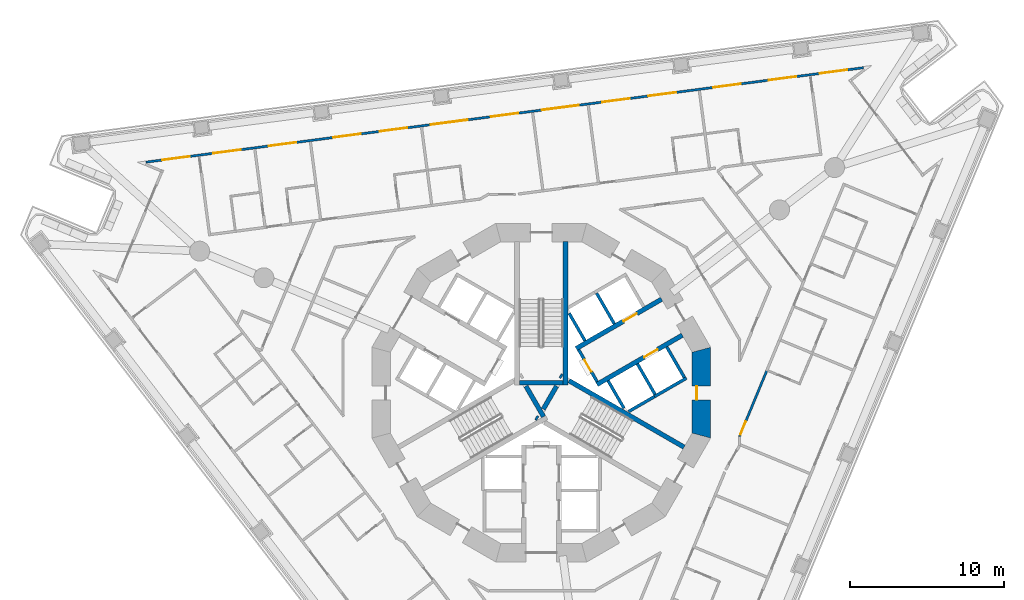
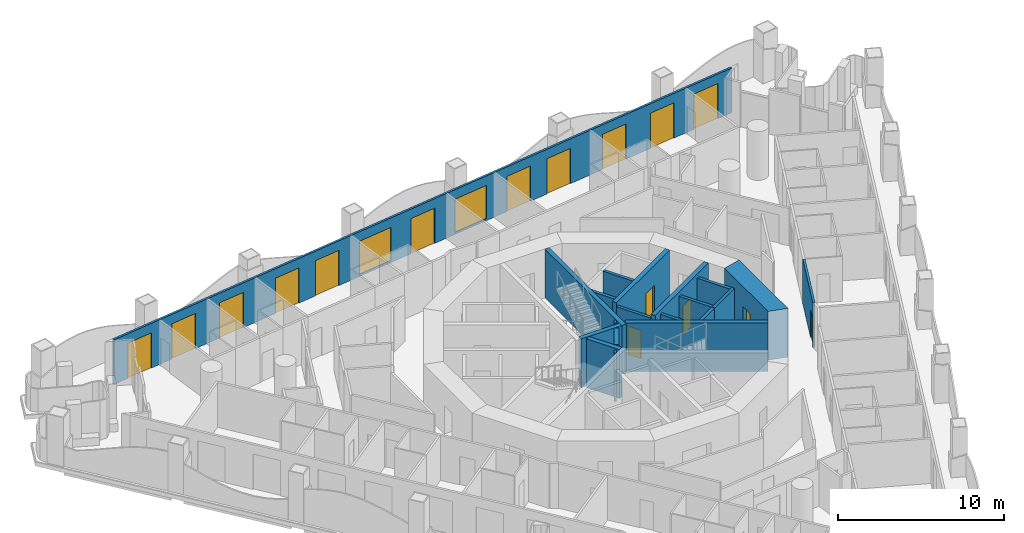
# One storey, part 8 of 19: 20 walls, 16 doors, 2 windows, 18 openings.
"""IFC4 building model written with IfcOpenShell, lengths in metres."""

from ifc_helpers import new_model, si_unit, direction, frame, frame_2d, origin, place, context, subcontext, project, spatial, polyline, rectangle, outline, extrude, material, layer, layer_set, type_object, element, fill, save


model = new_model("IFC4")

# Units and contexts
model_context = context("Model", 3, precision=1e-05, world=origin(), true_north=direction((0.0, 1.0)))
body_context = subcontext(model_context, "Body", "Model", "MODEL_VIEW")
ifc_project = project(units=[si_unit("LENGTHUNIT", "METRE"), si_unit("AREAUNIT", "SQUARE_METRE"), si_unit("VOLUMEUNIT", "CUBIC_METRE"), si_unit("PLANEANGLEUNIT", "RADIAN"), si_unit("MASSUNIT", "GRAM", prefix="KILO")], contexts=[model_context])

# Site, building, storey
site_placement = place(None, origin())
site = spatial("IfcSite", under=ifc_project, at=site_placement, CompositionType="ELEMENT")
building_placement = place(site_placement, origin())
building = spatial("IfcBuilding", under=site, at=building_placement, Name="Trine Commons Tower", CompositionType="ELEMENT")
storey_placement = place(building_placement, frame((0.0, 0.0, 61.199951171875)))
storey = spatial("IfcBuildingStorey", under=building, at=storey_placement, Name="L14", CompositionType="ELEMENT", Elevation=61.199951171875)

# Wall, openings, windows, doors
ifc_material_1 = material(Name="Aluminium-framed insulated wall panel", Category="aluminium")
ifc_layer_1 = layer(ifc_material_1, 0.14990234375)
ifc_layer_set_1 = layer_set([ifc_layer_1], Name="Aluminium-framed insulated wall panel")
wall_type_1 = type_object("IfcWallType", Name="Glazed frame wall 150, EI 60", PredefinedType="SOLIDWALL", material=ifc_layer_set_1)
wall_1_placement = place(storey_placement, frame((54.142333984375, 77.464599609375, 0.0), z_axis=(0.0, 0.0, 1.0), x_axis=(0.991444696532, 0.130527444308, 0.0)))
wall_1 = element("IfcWall", 1, at=wall_1_placement, inside=storey, type_object=wall_type_1, Name="Glazed frame wall F1", PredefinedType="SOLIDWALL", context=body_context, shape_type="SweptSolid", body=[
    extrude(outline(polyline([(0.1494140625, 0.074951171875), (0.1494140625, -0.074951171875), (47.216796875, -0.074951171875), (47.216796875, 0.074951171875), (0.1494140625, 0.074951171875)])), origin(), (0.0, 0.0, 1.0), 3.300048828125),
])
opening_1_placement = place(wall_1_placement, frame((1.2216796875, 0.0, 0.0)))
opening_1 = element("IfcOpeningElement", 2, at=opening_1_placement, cuts=wall_1, Name="Opening BD-2F1-01", PredefinedType="OPENING", context=body_context, shape_type="SweptSolid", body=[
    extrude(rectangle(XDim=1.800048828125, YDim=2.60009765625, at=frame_2d((0.89990234375, 1.300048828125))), frame((0.0, 0.0849609375, 0.0), z_axis=(0.0, -1.0, 0.0), x_axis=(1.0, 0.0, 0.0)), (0.0, 0.0, 1.0), 0.169921875),
])
opening_2_placement = place(wall_1_placement, frame((4.5654296875, 0.0, 0.0)))
opening_2 = element("IfcOpeningElement", 3, at=opening_2_placement, cuts=wall_1, Name="Opening BD-2F1-02", PredefinedType="OPENING", context=body_context, shape_type="SweptSolid", body=[
    extrude(rectangle(XDim=1.800048828125, YDim=2.60009765625, at=frame_2d((0.89990234375, 1.300048828125))), frame((0.0, 0.0849609375, 0.0), z_axis=(0.0, -1.0, 0.0), x_axis=(1.0, 0.0, 0.0)), (0.0, 0.0, 1.0), 0.169921875),
])
opening_3_placement = place(wall_1_placement, frame((8.208984375, 0.0, 0.0)))
opening_3 = element("IfcOpeningElement", 4, at=opening_3_placement, cuts=wall_1, Name="Opening BD-2F1-03", PredefinedType="OPENING", context=body_context, shape_type="SweptSolid", body=[
    extrude(rectangle(XDim=1.800048828125, YDim=2.60009765625, at=frame_2d((0.89990234375, 1.300048828125))), frame((0.0, 0.0849609375, 0.0), z_axis=(0.0, -1.0, 0.0), x_axis=(1.0, 0.0, 0.0)), (0.0, 0.0, 1.0), 0.169921875),
])
opening_4_placement = place(wall_1_placement, frame((12.45263671875, 0.0, 0.0)))
opening_4 = element("IfcOpeningElement", 5, at=opening_4_placement, cuts=wall_1, Name="Opening BD-2F1-04", PredefinedType="OPENING", context=body_context, shape_type="SweptSolid", body=[
    extrude(rectangle(XDim=1.800048828125, YDim=2.60009765625, at=frame_2d((0.89990234375, 1.300048828125))), frame((0.0, 0.0849609375, 0.0), z_axis=(0.0, -1.0, 0.0), x_axis=(1.0, 0.0, 0.0)), (0.0, 0.0, 1.0), 0.169921875),
])
opening_5_placement = place(wall_1_placement, frame((15.49609375, 0.0, 0.0)))
opening_5 = element("IfcOpeningElement", 6, at=opening_5_placement, cuts=wall_1, Name="Opening BD-2F1-05", PredefinedType="OPENING", context=body_context, shape_type="SweptSolid", body=[
    extrude(rectangle(XDim=1.800048828125, YDim=2.60009765625, at=frame_2d((0.89990234375, 1.300048828125))), frame((0.0, 0.0849609375, 0.0), z_axis=(0.0, -1.0, 0.0), x_axis=(1.0, 0.0, 0.0)), (0.0, 0.0, 1.0), 0.169921875),
])
opening_6_placement = place(wall_1_placement, frame((18.83984375, 0.0, 0.14990234375)))
opening_6 = element("IfcOpeningElement", 7, at=opening_6_placement, cuts=wall_1, Name="Opening W-2F1-06", PredefinedType="OPENING", context=body_context, shape_type="SweptSolid", body=[
    extrude(rectangle(XDim=2.39990234375, YDim=2.449951171875, at=frame_2d((1.199951171875, 1.22509765625))), frame((0.0, 0.0849609375, 0.0), z_axis=(0.0, -1.0, 0.0), x_axis=(1.0, 0.0, 0.0)), (0.0, 0.0, 1.0), 0.169921875),
])
opening_7_placement = place(wall_1_placement, frame((22.783447265625, 0.0, 0.0)))
opening_7 = element("IfcOpeningElement", 8, at=opening_7_placement, cuts=wall_1, Name="Opening BD-2F1-07", PredefinedType="OPENING", context=body_context, shape_type="SweptSolid", body=[
    extrude(rectangle(XDim=1.800048828125, YDim=2.60009765625, at=frame_2d((0.89990234375, 1.300048828125))), frame((0.0, 0.0849609375, 0.0), z_axis=(0.0, -1.0, 0.0), x_axis=(1.0, 0.0, 0.0)), (0.0, 0.0, 1.0), 0.169921875),
])
opening_8_placement = place(wall_1_placement, frame((26.126953125, 0.0, 0.14990234375)))
opening_8 = element("IfcOpeningElement", 9, at=opening_8_placement, cuts=wall_1, Name="Opening W-2F1-08", PredefinedType="OPENING", context=body_context, shape_type="SweptSolid", body=[
    extrude(rectangle(XDim=2.39990234375, YDim=2.449951171875, at=frame_2d((1.199951171875, 1.22509765625))), frame((0.0, 0.0849609375, 0.0), z_axis=(0.0, -1.0, 0.0), x_axis=(1.0, 0.0, 0.0)), (0.0, 0.0, 1.0), 0.169921875),
])
opening_9_placement = place(wall_1_placement, frame((30.070556640625, 0.0, 0.0)))
opening_9 = element("IfcOpeningElement", 10, at=opening_9_placement, cuts=wall_1, Name="Opening BD-2F1-09", PredefinedType="OPENING", context=body_context, shape_type="SweptSolid", body=[
    extrude(rectangle(XDim=1.800048828125, YDim=2.60009765625, at=frame_2d((0.89990234375, 1.300048828125))), frame((0.0, 0.0849609375, 0.0), z_axis=(0.0, -1.0, 0.0), x_axis=(1.0, 0.0, 0.0)), (0.0, 0.0, 1.0), 0.169921875),
])
opening_10_placement = place(wall_1_placement, frame((33.1142578125, 0.0, 0.0)))
opening_10 = element("IfcOpeningElement", 11, at=opening_10_placement, cuts=wall_1, Name="Opening BD-2F1-10", PredefinedType="OPENING", context=body_context, shape_type="SweptSolid", body=[
    extrude(rectangle(XDim=1.800048828125, YDim=2.60009765625, at=frame_2d((0.89990234375, 1.300048828125))), frame((0.0, 0.0849609375, 0.0), z_axis=(0.0, -1.0, 0.0), x_axis=(1.0, 0.0, 0.0)), (0.0, 0.0, 1.0), 0.169921875),
])
opening_11_placement = place(wall_1_placement, frame((37.35791015625, 0.0, 0.0)))
opening_11 = element("IfcOpeningElement", 12, at=opening_11_placement, cuts=wall_1, Name="Opening BD-2F1-11", PredefinedType="OPENING", context=body_context, shape_type="SweptSolid", body=[
    extrude(rectangle(XDim=1.800048828125, YDim=2.60009765625, at=frame_2d((0.89990234375, 1.300048828125))), frame((0.0, 0.0849609375, 0.0), z_axis=(0.0, -1.0, 0.0), x_axis=(1.0, 0.0, 0.0)), (0.0, 0.0, 1.0), 0.169921875),
])
opening_12_placement = place(wall_1_placement, frame((41.00146484375, 0.0, 0.0)))
opening_12 = element("IfcOpeningElement", 13, at=opening_12_placement, cuts=wall_1, Name="Opening BD-2F1-12", PredefinedType="OPENING", context=body_context, shape_type="SweptSolid", body=[
    extrude(rectangle(XDim=1.800048828125, YDim=2.60009765625, at=frame_2d((0.89990234375, 1.300048828125))), frame((0.0, 0.0849609375, 0.0), z_axis=(0.0, -1.0, 0.0), x_axis=(1.0, 0.0, 0.0)), (0.0, 0.0, 1.0), 0.169921875),
])
opening_13_placement = place(wall_1_placement, frame((44.344970703125, 0.0, 0.0)))
opening_13 = element("IfcOpeningElement", 14, at=opening_13_placement, cuts=wall_1, Name="Opening BD-2F1-13", PredefinedType="OPENING", context=body_context, shape_type="SweptSolid", body=[
    extrude(rectangle(XDim=1.800048828125, YDim=2.60009765625, at=frame_2d((0.89990234375, 1.300048828125))), frame((0.0, 0.0849609375, 0.0), z_axis=(0.0, -1.0, 0.0), x_axis=(1.0, 0.0, 0.0)), (0.0, 0.0, 1.0), 0.169921875),
])
ifc_material_2 = material(Name="Anodised aluminium frame with double glazing", Category="aluminium")
window_type = type_object("IfcWindowType", Name="Fixed window 2400x2450", PartitioningType="SINGLE_PANEL", PredefinedType="WINDOW", material=ifc_material_2)
window_1_placement = place(opening_6_placement, origin())
window_1 = element("IfcWindow", 15, at=window_1_placement, inside=storey, type_object=window_type, Name="Window F1 6", OverallHeight=2.449951171875, OverallWidth=2.39990234375, PartitioningType="SINGLE_PANEL", PredefinedType="WINDOW", context=body_context, shape_type="SweptSolid", body=[
    extrude(rectangle(XDim=2.39990234375, YDim=2.449951171875, at=frame_2d((1.199951171875, 1.22509765625))), frame((0.0, 0.030029296875, 0.0), z_axis=(0.0, -1.0, 0.0), x_axis=(1.0, 0.0, 0.0)), (0.0, 0.0, 1.0), 0.06005859375),
])
fill(opening_6, window_1)
window_2_placement = place(opening_8_placement, origin())
window_2 = element("IfcWindow", 16, at=window_2_placement, inside=storey, type_object=window_type, Name="Window F1 8", OverallHeight=2.449951171875, OverallWidth=2.39990234375, PartitioningType="SINGLE_PANEL", PredefinedType="WINDOW", context=body_context, shape_type="SweptSolid", body=[
    extrude(rectangle(XDim=2.39990234375, YDim=2.449951171875, at=frame_2d((1.199951171875, 1.22509765625))), frame((0.0, 0.030029296875, 0.0), z_axis=(0.0, -1.0, 0.0), x_axis=(1.0, 0.0, 0.0)), (0.0, 0.0, 1.0), 0.06005859375),
])
fill(opening_8, window_2)
door_type_1 = type_object("IfcDoorType", Name="Sliding loggia door 1800x2600", OperationType="SLIDING_TO_LEFT", PredefinedType="DOOR", material=ifc_material_2)
door_1_placement = place(opening_1_placement, origin())
door_1 = element("IfcDoor", 17, at=door_1_placement, inside=storey, type_object=door_type_1, Name="Loggia door F1 1", OperationType="SLIDING_TO_LEFT", OverallHeight=2.60009765625, OverallWidth=1.800048828125, PredefinedType="DOOR", context=body_context, shape_type="SweptSolid", body=[
    extrude(rectangle(XDim=1.800048828125, YDim=2.60009765625, at=frame_2d((0.89990234375, 1.300048828125))), frame((0.0, 0.02490234375, 0.0), z_axis=(0.0, -1.0, 0.0), x_axis=(1.0, 0.0, 0.0)), (0.0, 0.0, 1.0), 0.050048828125),
])
fill(opening_1, door_1)
door_2_placement = place(opening_2_placement, origin())
door_2 = element("IfcDoor", 18, at=door_2_placement, inside=storey, type_object=door_type_1, Name="Loggia door F1 2", OperationType="SLIDING_TO_LEFT", OverallHeight=2.60009765625, OverallWidth=1.800048828125, PredefinedType="DOOR", context=body_context, shape_type="SweptSolid", body=[
    extrude(rectangle(XDim=1.800048828125, YDim=2.60009765625, at=frame_2d((0.89990234375, 1.300048828125))), frame((0.0, 0.02490234375, 0.0), z_axis=(0.0, -1.0, 0.0), x_axis=(1.0, 0.0, 0.0)), (0.0, 0.0, 1.0), 0.050048828125),
])
fill(opening_2, door_2)
door_3_placement = place(opening_3_placement, origin())
door_3 = element("IfcDoor", 19, at=door_3_placement, inside=storey, type_object=door_type_1, Name="Loggia door F1 3", OperationType="SLIDING_TO_LEFT", OverallHeight=2.60009765625, OverallWidth=1.800048828125, PredefinedType="DOOR", context=body_context, shape_type="SweptSolid", body=[
    extrude(rectangle(XDim=1.800048828125, YDim=2.60009765625, at=frame_2d((0.89990234375, 1.300048828125))), frame((0.0, 0.02490234375, 0.0), z_axis=(0.0, -1.0, 0.0), x_axis=(1.0, 0.0, 0.0)), (0.0, 0.0, 1.0), 0.050048828125),
])
fill(opening_3, door_3)
door_4_placement = place(opening_4_placement, origin())
door_4 = element("IfcDoor", 20, at=door_4_placement, inside=storey, type_object=door_type_1, Name="Loggia door F1 4", OperationType="SLIDING_TO_LEFT", OverallHeight=2.60009765625, OverallWidth=1.800048828125, PredefinedType="DOOR", context=body_context, shape_type="SweptSolid", body=[
    extrude(rectangle(XDim=1.800048828125, YDim=2.60009765625, at=frame_2d((0.89990234375, 1.300048828125))), frame((0.0, 0.02490234375, 0.0), z_axis=(0.0, -1.0, 0.0), x_axis=(1.0, 0.0, 0.0)), (0.0, 0.0, 1.0), 0.050048828125),
])
fill(opening_4, door_4)
door_5_placement = place(opening_5_placement, origin())
door_5 = element("IfcDoor", 21, at=door_5_placement, inside=storey, type_object=door_type_1, Name="Loggia door F1 5", OperationType="SLIDING_TO_LEFT", OverallHeight=2.60009765625, OverallWidth=1.800048828125, PredefinedType="DOOR", context=body_context, shape_type="SweptSolid", body=[
    extrude(rectangle(XDim=1.800048828125, YDim=2.60009765625, at=frame_2d((0.89990234375, 1.300048828125))), frame((0.0, 0.02490234375, 0.0), z_axis=(0.0, -1.0, 0.0), x_axis=(1.0, 0.0, 0.0)), (0.0, 0.0, 1.0), 0.050048828125),
])
fill(opening_5, door_5)
door_6_placement = place(opening_7_placement, origin())
door_6 = element("IfcDoor", 22, at=door_6_placement, inside=storey, type_object=door_type_1, Name="Loggia door F1 7", OperationType="SLIDING_TO_LEFT", OverallHeight=2.60009765625, OverallWidth=1.800048828125, PredefinedType="DOOR", context=body_context, shape_type="SweptSolid", body=[
    extrude(rectangle(XDim=1.800048828125, YDim=2.60009765625, at=frame_2d((0.89990234375, 1.300048828125))), frame((0.0, 0.02490234375, 0.0), z_axis=(0.0, -1.0, 0.0), x_axis=(1.0, 0.0, 0.0)), (0.0, 0.0, 1.0), 0.050048828125),
])
fill(opening_7, door_6)
door_7_placement = place(opening_9_placement, origin())
door_7 = element("IfcDoor", 23, at=door_7_placement, inside=storey, type_object=door_type_1, Name="Loggia door F1 9", OperationType="SLIDING_TO_LEFT", OverallHeight=2.60009765625, OverallWidth=1.800048828125, PredefinedType="DOOR", context=body_context, shape_type="SweptSolid", body=[
    extrude(rectangle(XDim=1.800048828125, YDim=2.60009765625, at=frame_2d((0.89990234375, 1.300048828125))), frame((0.0, 0.02490234375, 0.0), z_axis=(0.0, -1.0, 0.0), x_axis=(1.0, 0.0, 0.0)), (0.0, 0.0, 1.0), 0.050048828125),
])
fill(opening_9, door_7)
door_8_placement = place(opening_10_placement, origin())
door_8 = element("IfcDoor", 24, at=door_8_placement, inside=storey, type_object=door_type_1, Name="Loggia door F1 10", OperationType="SLIDING_TO_LEFT", OverallHeight=2.60009765625, OverallWidth=1.800048828125, PredefinedType="DOOR", context=body_context, shape_type="SweptSolid", body=[
    extrude(rectangle(XDim=1.800048828125, YDim=2.60009765625, at=frame_2d((0.89990234375, 1.300048828125))), frame((0.0, 0.02490234375, 0.0), z_axis=(0.0, -1.0, 0.0), x_axis=(1.0, 0.0, 0.0)), (0.0, 0.0, 1.0), 0.050048828125),
])
fill(opening_10, door_8)
door_9_placement = place(opening_11_placement, origin())
door_9 = element("IfcDoor", 25, at=door_9_placement, inside=storey, type_object=door_type_1, Name="Loggia door F1 11", OperationType="SLIDING_TO_LEFT", OverallHeight=2.60009765625, OverallWidth=1.800048828125, PredefinedType="DOOR", context=body_context, shape_type="SweptSolid", body=[
    extrude(rectangle(XDim=1.800048828125, YDim=2.60009765625, at=frame_2d((0.89990234375, 1.300048828125))), frame((0.0, 0.02490234375, 0.0), z_axis=(0.0, -1.0, 0.0), x_axis=(1.0, 0.0, 0.0)), (0.0, 0.0, 1.0), 0.050048828125),
])
fill(opening_11, door_9)
door_10_placement = place(opening_12_placement, origin())
door_10 = element("IfcDoor", 26, at=door_10_placement, inside=storey, type_object=door_type_1, Name="Loggia door F1 12", OperationType="SLIDING_TO_LEFT", OverallHeight=2.60009765625, OverallWidth=1.800048828125, PredefinedType="DOOR", context=body_context, shape_type="SweptSolid", body=[
    extrude(rectangle(XDim=1.800048828125, YDim=2.60009765625, at=frame_2d((0.89990234375, 1.300048828125))), frame((0.0, 0.02490234375, 0.0), z_axis=(0.0, -1.0, 0.0), x_axis=(1.0, 0.0, 0.0)), (0.0, 0.0, 1.0), 0.050048828125),
])
fill(opening_12, door_10)
door_11_placement = place(opening_13_placement, origin())
door_11 = element("IfcDoor", 27, at=door_11_placement, inside=storey, type_object=door_type_1, Name="Loggia door F1 13", OperationType="SLIDING_TO_LEFT", OverallHeight=2.60009765625, OverallWidth=1.800048828125, PredefinedType="DOOR", context=body_context, shape_type="SweptSolid", body=[
    extrude(rectangle(XDim=1.800048828125, YDim=2.60009765625, at=frame_2d((0.89990234375, 1.300048828125))), frame((0.0, 0.02490234375, 0.0), z_axis=(0.0, -1.0, 0.0), x_axis=(1.0, 0.0, 0.0)), (0.0, 0.0, 1.0), 0.050048828125),
])
fill(opening_13, door_11)

# Wall, opening, door
ifc_material_3 = material(Name="Fire-rated gypsum shaft wall system")
ifc_layer_2 = layer(ifc_material_3, 0.199951171875)
ifc_layer_set_2 = layer_set([ifc_layer_2], Name="Fire-rated gypsum shaft wall system")
wall_type_2 = type_object("IfcWallType", Name="Lobby end wall 200 mm, EI 120", PredefinedType="PARTITIONING", material=ifc_layer_set_2)
wall_2_placement = place(storey_placement, frame((83.631103515625, 63.2109375, 0.0), z_axis=(0.0, 0.0, 1.0), x_axis=(-0.50012165622, 0.865955154139, 0.0)))
wall_2 = element("IfcWall", 28, at=wall_2_placement, inside=storey, type_object=wall_type_2, Name="Lobby end wall L14", PredefinedType="PARTITIONING", context=body_context, shape_type="SweptSolid", body=[
    extrude(rectangle(XDim=2.39990234375, YDim=0.199951171875, at=frame_2d((1.199951171875, 0.0))), origin(), (0.0, 0.0, 1.0), 3.300048828125),
])
opening_14_placement = place(wall_2_placement, frame((0.749755859375, 0.0, 0.0)))
opening_14 = element("IfcOpeningElement", 29, at=opening_14_placement, cuts=wall_2, Name="Opening K05.05", PredefinedType="OPENING", context=body_context, shape_type="SweptSolid", body=[
    extrude(rectangle(XDim=0.89990234375, YDim=2.10009765625, at=frame_2d((0.449951171875, 1.050048828125))), frame((0.0, 0.10986328125, 0.0), z_axis=(0.0, -1.0, 0.0), x_axis=(1.0, 0.0, 0.0)), (0.0, 0.0, 1.0), 0.219970703125),
])
ifc_material_4 = material(Name="Steel door leaf, fire-rated", Category="steel")
door_type_2 = type_object("IfcDoorType", Name="Riser access door, single leaf 900 x 2100, FD60", OperationType="SINGLE_SWING_LEFT", PredefinedType="DOOR", material=ifc_material_4)
door_12_placement = place(opening_14_placement, frame((0.89990234375, 0.0, 0.0), z_axis=(0.0, 0.0, 1.0), x_axis=(-1.0, 0.0, 0.0)))
door_12 = element("IfcDoor", 30, at=door_12_placement, inside=storey, type_object=door_type_2, Name="Riser door, Electrical riser L14", OperationType="SINGLE_SWING_LEFT", OverallHeight=2.10009765625, OverallWidth=0.89990234375, PredefinedType="DOOR", context=body_context, shape_type="SweptSolid", body=[
    extrude(rectangle(XDim=0.89990234375, YDim=2.10009765625, at=frame_2d((0.449951171875, 1.050048828125))), frame((0.0, 0.02490234375, 0.0), z_axis=(0.0, -1.0, 0.0), x_axis=(1.0, 0.0, 0.0)), (0.0, 0.0, 1.0), 0.050048828125),
])
fill(opening_14, door_12)

ifc_material_5 = material(Name="Concrete C80/95", Category="concrete")
ifc_layer_3 = layer(ifc_material_5, 1.199951171875)
ifc_layer_set_3 = layer_set([ifc_layer_3], Name="Concrete C80/95")
wall_type_3 = type_object("IfcWallType", Name="RC shear wall 1200 mm, C80/95", PredefinedType="SHEAR", material=ifc_layer_set_3)
wall_3_placement = place(storey_placement, frame((90.41162109375, 59.549560546875, 0.0), z_axis=(0.0, 0.0, 1.0), x_axis=(0.0, 1.0, 0.0)))
wall_3 = element("IfcWall", 31, at=wall_3_placement, inside=storey, type_object=wall_type_3, Name="Core wall CWB-01 L14", PredefinedType="SHEAR", context=body_context, shape_type="SweptSolid", body=[
    extrude(outline(polyline([(0.0, -0.60009765625), (5.90087890625, -0.60009765625), (5.57958984375, 0.60009765625), (0.321533203125, 0.60009765625), (0.0, -0.60009765625)])), origin(), (0.0, 0.0, 1.0), 3.60009765625),
])
opening_15_placement = place(wall_3_placement, frame((2.4755859375, 0.0, 0.0)))
opening_15 = element("IfcOpeningElement", 32, at=opening_15_placement, cuts=wall_3, Name="Opening K05.16", PredefinedType="OPENING", context=body_context, shape_type="SweptSolid", body=[
    extrude(rectangle(XDim=0.89990234375, YDim=2.10009765625, at=frame_2d((0.449951171875, 1.050048828125))), frame((0.0, 0.60986328125, 0.0), z_axis=(0.0, -1.0, 0.0), x_axis=(1.0, 0.0, 0.0)), (0.0, 0.0, 1.0), 1.219970703125),
])
door_type_3 = type_object("IfcDoorType", Name="Core room door, single leaf 900 x 2100, FD30S", OperationType="SINGLE_SWING_LEFT", PredefinedType="DOOR", material=ifc_material_4)
door_13_placement = place(opening_15_placement, origin())
door_13 = element("IfcDoor", 33, at=door_13_placement, inside=storey, type_object=door_type_3, Name="Door to Accessible WC L14", OperationType="SINGLE_SWING_LEFT", OverallHeight=2.10009765625, OverallWidth=0.89990234375, PredefinedType="DOOR", context=body_context, shape_type="SweptSolid", body=[
    extrude(rectangle(XDim=0.89990234375, YDim=2.10009765625, at=frame_2d((0.449951171875, 1.050048828125))), frame((0.0, 0.3251953125, 0.0), z_axis=(0.0, -1.0, 0.0), x_axis=(1.0, 0.0, 0.0)), (0.0, 0.0, 1.0), 0.050048828125),
])
fill(opening_15, door_13)

ifc_layer_4 = layer(ifc_material_5, 0.300048828125)
ifc_layer_set_4 = layer_set([ifc_layer_4], Name="Concrete C80/95")
wall_type_4 = type_object("IfcWallType", Name="RC shear wall 300 mm, C80/95", PredefinedType="SHEAR", material=ifc_layer_set_4)
wall_4_placement = place(storey_placement, frame((82.26904296875, 65.368896484375, 0.0), z_axis=(0.0, 0.0, 1.0), x_axis=(0.866022631842, 0.500004801114, 0.0)))
wall_4 = element("IfcWall", 34, at=wall_4_placement, inside=storey, type_object=wall_type_4, Name="Core cross wall SWA-05 L14", PredefinedType="SHEAR", context=body_context, shape_type="SweptSolid", body=[
    extrude(rectangle(XDim=6.412109375, YDim=0.300048828125, at=frame_2d((3.2060546875, 0.0))), origin(), (0.0, 0.0, 1.0), 3.60009765625),
])
opening_16_placement = place(wall_4_placement, frame((3.55029296875, 0.0, 0.0)))
opening_16 = element("IfcOpeningElement", 35, at=opening_16_placement, cuts=wall_4, Name="Opening LD1", PredefinedType="OPENING", context=body_context, shape_type="SweptSolid", body=[
    extrude(rectangle(XDim=1.0, YDim=2.10009765625, at=frame_2d((0.5, 1.050048828125))), frame((0.0, 0.159912109375, 0.0), z_axis=(0.0, -1.0, 0.0), x_axis=(1.0, 0.0, 0.0)), (0.0, 0.0, 1.0), 0.320068359375),
])
ifc_material_6 = material(Name="Stainless steel sliding door leaves", Category="steel")
door_type_4 = type_object("IfcDoorType", Name="Lift landing door, centre-opening sliding 1000 x 2100, FD90", OperationType="DOUBLE_DOOR_SLIDING", PredefinedType="DOOR", material=ifc_material_6)
door_14_placement = place(opening_16_placement, origin())
door_14 = element("IfcDoor", 36, at=door_14_placement, inside=storey, type_object=door_type_4, Name="Lift landing door LR1 L14", OperationType="DOUBLE_DOOR_SLIDING", OverallHeight=2.10009765625, OverallWidth=1.0, PredefinedType="DOOR", context=body_context, shape_type="SweptSolid", body=[
    extrude(rectangle(XDim=1.0, YDim=2.10009765625, at=frame_2d((0.5, 1.050048828125))), frame((0.0, 0.02490234375, 0.0), z_axis=(0.0, -1.0, 0.0), x_axis=(1.0, 0.0, 0.0)), (0.0, 0.0, 1.0), 0.050048828125),
])
fill(opening_16, door_14)

wall_5_placement = place(storey_placement, frame((83.618896484375, 63.031005859375, 0.0), z_axis=(0.0, 0.0, 1.0), x_axis=(0.866032150378, 0.499988314375, 0.0)))
wall_5 = element("IfcWall", 37, at=wall_5_placement, inside=storey, type_object=wall_type_4, Name="Core cross wall SWA-06 L14", PredefinedType="SHEAR", context=body_context, shape_type="SweptSolid", body=[
    extrude(rectangle(XDim=6.412353515625, YDim=0.300048828125, at=frame_2d((3.2060546875, 0.0))), origin(), (0.0, 0.0, 1.0), 3.60009765625),
])
opening_17_placement = place(wall_5_placement, frame((3.55029296875, 0.0, 0.0)))
opening_17 = element("IfcOpeningElement", 38, at=opening_17_placement, cuts=wall_5, Name="Opening LD2", PredefinedType="OPENING", context=body_context, shape_type="SweptSolid", body=[
    extrude(rectangle(XDim=1.0, YDim=2.10009765625, at=frame_2d((0.5, 1.050048828125))), frame((0.0, 0.159912109375, 0.0), z_axis=(0.0, -1.0, 0.0), x_axis=(1.0, 0.0, 0.0)), (0.0, 0.0, 1.0), 0.320068359375),
])
door_15_placement = place(opening_17_placement, origin())
door_15 = element("IfcDoor", 39, at=door_15_placement, inside=storey, type_object=door_type_4, Name="Lift landing door LR2 L14", OperationType="DOUBLE_DOOR_SLIDING", OverallHeight=2.10009765625, OverallWidth=1.0, PredefinedType="DOOR", context=body_context, shape_type="SweptSolid", body=[
    extrude(rectangle(XDim=1.0, YDim=2.10009765625, at=frame_2d((0.5, 1.050048828125))), frame((0.0, 0.02490234375, 0.0), z_axis=(0.0, -1.0, 0.0), x_axis=(1.0, 0.0, 0.0)), (0.0, 0.0, 1.0), 0.050048828125),
])
fill(opening_17, door_15)

# Walls
wall_6_placement = place(storey_placement, frame((79.0029296875, 62.926025390625, 0.0), z_axis=(0.0, 0.0, 1.0), x_axis=(0.499965247104, -0.866045467449, 0.0)))
element("IfcWall", 40, at=wall_6_placement, inside=storey, type_object=wall_type_4, Name="Core cross wall SWA-10 L14", PredefinedType="SHEAR", context=body_context, shape_type="SweptSolid", body=[
    extrude(rectangle(XDim=2.292236328125, YDim=0.300048828125, at=frame_2d((1.14599609375, 0.0))), origin(), (0.0, 0.0, 1.0), 3.60009765625),
])
wall_7_placement = place(storey_placement, frame((79.64599609375, 60.885986328125, 0.0), z_axis=(0.0, 0.0, 1.0), x_axis=(0.867331893649, -0.497730234424, 0.0)))
element("IfcWall", 41, at=wall_7_placement, inside=storey, type_object=wall_type_4, Name="Core cross wall SWA-11 L14", PredefinedType="SHEAR", context=body_context, shape_type="SweptSolid", body=[
    extrude(rectangle(XDim=0.148681640625, YDim=0.300048828125, at=frame_2d((0.07421875, 0.0))), origin(), (0.0, 0.0, 1.0), 3.60009765625),
])
wall_8_placement = place(storey_placement, frame((80.1298828125, 61.424072265625, 0.0), z_axis=(0.0, 0.0, 1.0), x_axis=(0.500014901547, 0.866016800201, 0.0)))
element("IfcWall", 42, at=wall_8_placement, inside=storey, type_object=wall_type_4, Name="Core cross wall SWA-12 L14", PredefinedType="SHEAR", context=body_context, shape_type="SweptSolid", body=[
    extrude(rectangle(XDim=1.734375, YDim=0.300048828125, at=frame_2d((0.8671875, 0.0))), origin(), (0.0, 0.0, 1.0), 3.60009765625),
])
wall_9_placement = place(storey_placement, frame((81.220947265625, 63.614013671875, 0.0), z_axis=(0.0, 0.0, 1.0), x_axis=(0.867737973955, -0.497021939713, 0.0)))
element("IfcWall", 43, at=wall_9_placement, inside=storey, type_object=wall_type_4, Name="Core cross wall SWA-15 L14", PredefinedType="SHEAR", context=body_context, shape_type="SweptSolid", body=[
    extrude(rectangle(XDim=0.14892578125, YDim=0.300048828125, at=frame_2d((0.074462890625, 0.0))), origin(), (0.0, 0.0, 1.0), 3.60009765625),
])
wall_10_placement = place(storey_placement, frame((81.425048828125, 63.15087890625, 0.0), z_axis=(0.0, 0.0, 1.0), x_axis=(-1.0, 0.0, 0.0)))
element("IfcWall", 44, at=wall_10_placement, inside=storey, type_object=wall_type_4, Name="Core cross wall SWA-16 L14", PredefinedType="SHEAR", context=body_context, shape_type="SweptSolid", body=[
    extrude(rectangle(XDim=2.85009765625, YDim=0.300048828125, at=frame_2d((1.425048828125, 0.0))), origin(), (0.0, 0.0, 1.0), 3.60009765625),
])
wall_11_placement = place(storey_placement, frame((81.574951171875, 63.0009765625, 0.0), z_axis=(0.0, 0.0, 1.0), x_axis=(0.0, 1.0, 0.0)))
element("IfcWall", 45, at=wall_11_placement, inside=storey, type_object=wall_type_4, Name="Core cross wall SWA-17 L14", PredefinedType="SHEAR", context=body_context, shape_type="SweptSolid", body=[
    extrude(rectangle(XDim=9.31103515625, YDim=0.300048828125, at=frame_2d((4.655517578125, 0.0))), origin(), (0.0, 0.0, 1.0), 3.60009765625),
])
wall_12_placement = place(storey_placement, frame((81.800048828125, 63.280029296875, 0.0), z_axis=(0.0, 0.0, 1.0), x_axis=(0.865965399159, -0.500103916661, 0.0)))
element("IfcWall", 46, at=wall_12_placement, inside=storey, type_object=wall_type_4, Name="Core cross wall SWA-18 L14", PredefinedType="SHEAR", context=body_context, shape_type="SweptSolid", body=[
    extrude(rectangle(XDim=8.642333984375, YDim=0.300048828125, at=frame_2d((4.3212890625, 0.0))), origin(), (0.0, 0.0, 1.0), 3.60009765625),
])
ifc_layer_5 = layer(ifc_material_3, 0.199951171875)
ifc_layer_set_5 = layer_set([ifc_layer_5], Name="Fire-rated gypsum shaft wall system")
wall_type_5 = type_object("IfcWallType", Name="Shaft wall 200 mm, EI 120", PredefinedType="PARTITIONING", material=ifc_layer_set_5)
wall_13_placement = place(storey_placement, frame((82.843994140625, 65.8740234375, 0.0), z_axis=(0.0, 0.0, 1.0), x_axis=(-0.499865770674, 0.866102887253, 0.0)))
element("IfcWall", 47, at=wall_13_placement, inside=storey, type_object=wall_type_5, Name="Shaft wall L14", PredefinedType="PARTITIONING", context=body_context, shape_type="SweptSolid", body=[
    extrude(rectangle(XDim=2.064453125, YDim=0.199951171875, at=frame_2d((1.0322265625, 0.0))), origin(), (0.0, 0.0, 1.0), 3.300048828125),
])
wall_14_placement = place(storey_placement, frame((84.343994140625, 63.27587890625, 0.0), z_axis=(0.0, 0.0, 1.0), x_axis=(0.500271688072, -0.86586848777, 0.0)))
element("IfcWall", 48, at=wall_14_placement, inside=storey, type_object=wall_type_5, Name="Shaft wall L14", PredefinedType="PARTITIONING", context=body_context, shape_type="SweptSolid", body=[
    extrude(rectangle(XDim=2.064697265625, YDim=0.199951171875, at=frame_2d((1.0322265625, 0.0))), origin(), (0.0, 0.0, 1.0), 3.300048828125),
])
wall_15_placement = place(storey_placement, frame((84.7490234375, 66.97412109375, 0.0), z_axis=(0.0, 0.0, 1.0), x_axis=(-0.500136062276, 0.86594683394, 0.0)))
element("IfcWall", 49, at=wall_15_placement, inside=storey, type_object=wall_type_5, Name="Shaft wall L14", PredefinedType="PARTITIONING", context=body_context, shape_type="SweptSolid", body=[
    extrude(rectangle(XDim=2.299072265625, YDim=0.199951171875, at=frame_2d((1.1494140625, 0.0))), origin(), (0.0, 0.0, 1.0), 3.300048828125),
])
wall_16_placement = place(storey_placement, frame((85.675048828125, 61.27294921875, 0.0), z_axis=(0.0, 0.0, 1.0), x_axis=(0.865780634835, 0.500423712812, 0.0)))
element("IfcWall", 50, at=wall_16_placement, inside=storey, type_object=wall_type_5, Name="Shaft wall L14", PredefinedType="PARTITIONING", context=body_context, shape_type="SweptSolid", body=[
    extrude(rectangle(XDim=1.948486328125, YDim=0.199951171875, at=frame_2d((0.97412109375, 0.0))), origin(), (0.0, 0.0, 1.0), 3.300048828125),
])
wall_17_placement = place(storey_placement, frame((86.2490234375, 64.3759765625, 0.0), z_axis=(0.0, 0.0, 1.0), x_axis=(0.500136062276, -0.86594683394, 0.0)))
element("IfcWall", 51, at=wall_17_placement, inside=storey, type_object=wall_type_5, Name="Shaft wall L14", PredefinedType="PARTITIONING", context=body_context, shape_type="SweptSolid", body=[
    extrude(rectangle(XDim=2.299072265625, YDim=0.199951171875, at=frame_2d((1.1494140625, 0.0))), origin(), (0.0, 0.0, 1.0), 3.300048828125),
])
wall_18_placement = place(storey_placement, frame((87.362060546875, 62.248046875, 0.0), z_axis=(0.0, 0.0, 1.0), x_axis=(0.866177122335, 0.499737123639, 0.0)))
element("IfcWall", 52, at=wall_18_placement, inside=storey, type_object=wall_type_5, Name="Shaft wall L14", PredefinedType="PARTITIONING", context=body_context, shape_type="SweptSolid", body=[
    extrude(rectangle(XDim=2.401123046875, YDim=0.199951171875, at=frame_2d((1.20068359375, 0.0))), origin(), (0.0, 0.0, 1.0), 3.300048828125),
])
wall_19_placement = place(storey_placement, frame((88.155029296875, 65.47607421875, 0.0), z_axis=(0.0, 0.0, 1.0), x_axis=(0.500136062276, -0.86594683394, 0.0)))
element("IfcWall", 53, at=wall_19_placement, inside=storey, type_object=wall_type_5, Name="Shaft wall L14", PredefinedType="PARTITIONING", context=body_context, shape_type="SweptSolid", body=[
    extrude(rectangle(XDim=2.299072265625, YDim=0.199951171875, at=frame_2d((1.1494140625, 0.0))), origin(), (0.0, 0.0, 1.0), 3.300048828125),
])

# Wall, opening, door
ifc_material_7 = material(Name="Gypsum plasterboard on steel stud", Category="steel")
ifc_layer_6 = layer(ifc_material_7, 0.14990234375)
ifc_layer_set_6 = layer_set([ifc_layer_6], Name="Gypsum plasterboard on steel stud")
wall_type_6 = type_object("IfcWallType", Name="Unit and corridor wall 150 mm, EI 60", PredefinedType="PARTITIONING", material=ifc_layer_set_6)
wall_20_placement = place(storey_placement, frame((92.886962890625, 59.64599609375, 0.0), z_axis=(0.0, 0.0, 1.0), x_axis=(0.382616615048, 0.92390720632, 0.0)))
wall_20 = element("IfcWall", 54, at=wall_20_placement, inside=storey, type_object=wall_type_6, Name="Partition 131", PredefinedType="PARTITIONING", context=body_context, shape_type="SweptSolid", body=[
    extrude(rectangle(XDim=4.668212890625, YDim=0.14990234375, at=frame_2d((2.333984375, 0.0))), origin(), (0.0, 0.0, 1.0), 3.300048828125),
])
opening_18_placement = place(wall_20_placement, frame((0.150146484375, 0.0, 0.0)))
opening_18 = element("IfcOpeningElement", 55, at=opening_18_placement, cuts=wall_20, Name="Opening D-2B17", PredefinedType="OPENING", context=body_context, shape_type="SweptSolid", body=[
    extrude(rectangle(XDim=0.89990234375, YDim=2.10009765625, at=frame_2d((0.449951171875, 1.050048828125))), frame((0.0, 0.0849609375, 0.0), z_axis=(0.0, -1.0, 0.0), x_axis=(1.0, 0.0, 0.0)), (0.0, 0.0, 1.0), 0.169921875),
])
ifc_material_8 = material(Name="Timber fire door set", Category="wood")
door_type_5 = type_object("IfcDoorType", Name="Bedroom door 900 x 2100, FD30S", OperationType="NOTDEFINED", PredefinedType="DOOR", material=ifc_material_8)
door_16_placement = place(opening_18_placement, frame((0.89990234375, 0.0, 0.0), z_axis=(0.0, 0.0, 1.0), x_axis=(-1.0, 0.0, 0.0)))
door_16 = element("IfcDoor", 56, at=door_16_placement, inside=storey, type_object=door_type_5, Name="Door D-2B17", OperationType="SINGLE_SWING_RIGHT", OverallHeight=2.10009765625, OverallWidth=0.89990234375, PredefinedType="DOOR", context=body_context, shape_type="SweptSolid", body=[
    extrude(rectangle(XDim=0.89990234375, YDim=2.10009765625, at=frame_2d((0.449951171875, 1.050048828125))), frame((0.0, 0.02490234375, 0.0), z_axis=(0.0, -1.0, 0.0), x_axis=(1.0, 0.0, 0.0)), (0.0, 0.0, 1.0), 0.050048828125),
])
fill(opening_18, door_16)

save(model, "model.ifc")
